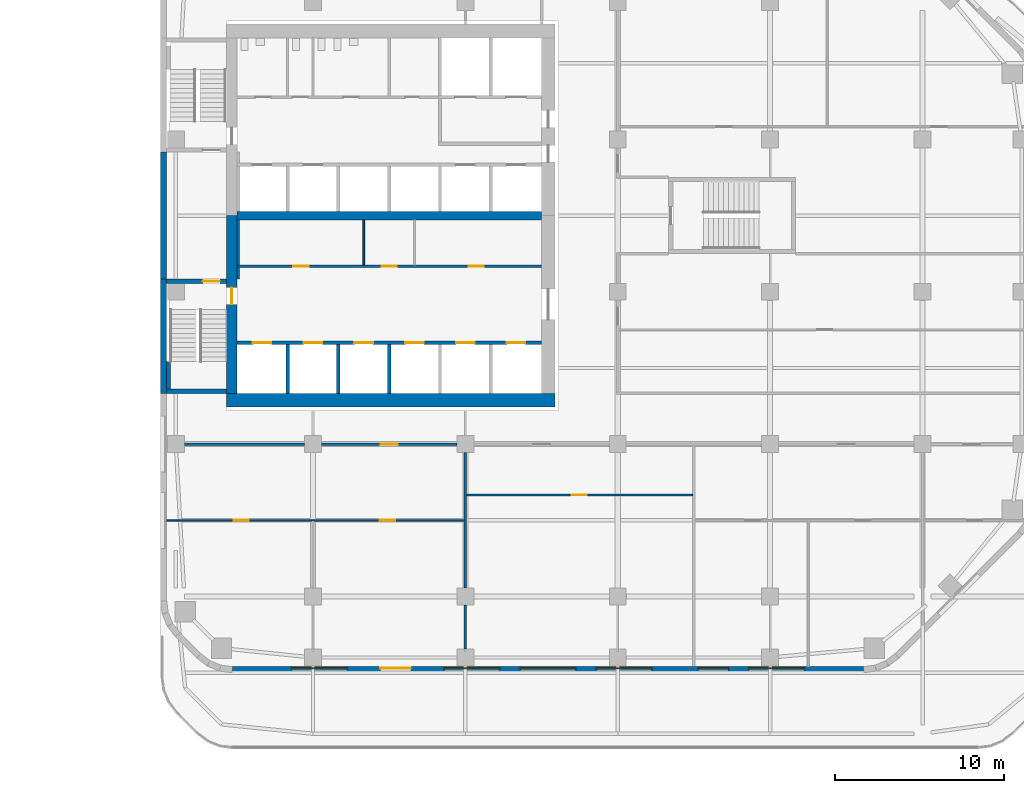
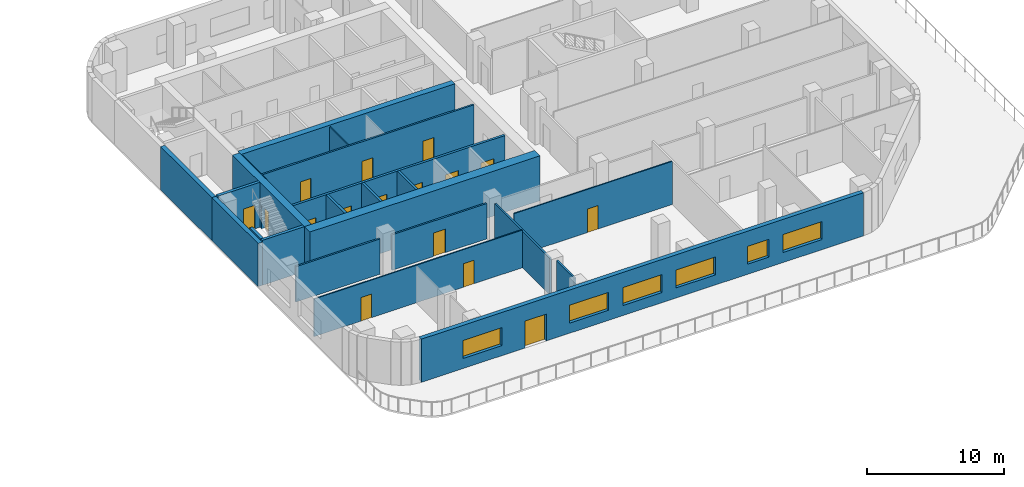
# One storey, part 8 of 15: 23 walls, 16 doors, 6 windows, 22 openings.
"""IFC4 building model written with IfcOpenShell, lengths in metres."""

import ifcopenshell
import ifcopenshell.guid

model = None  # the IFC model being written
_history = None  # IfcOwnerHistory: only IFC2X3 demands one
_inside = {}  # id of a spatial element -> (the spatial element, [elements in it])
_under = {}  # id of a project, library or spatial element -> (it, [spatial elements below it])
_declared = {}  # id of a project -> (the project, [libraries it declares])
_typed = {}  # id of a type object -> (the type object, [elements of that type])
_made_of = {}  # id of a material, layer set ... -> (it, [elements and type objects made of it])


def new_model(schema):
    """Start an empty IFC model of exactly this schema.

    Asked for "IFC4X3", IfcOpenShell would pick the latest addendum, in which some entities
    have other attributes; the version numbers below select the first issue.
    IFC2X3 requires an IfcOwnerHistory on every rooted entity: one is made here for all.
    """
    global model, _history
    if schema == "IFC4X3":
        model = ifcopenshell.file(schema_version=(4, 3, 0, 0))
    else:
        model = ifcopenshell.file(schema=schema)
    _inside.clear()
    _under.clear()
    _declared.clear()
    _typed.clear()
    _made_of.clear()
    _history = None
    if model.schema == "IFC2X3":
        org = make("IfcOrganization", Name="unknown")
        user = make(
            "IfcPersonAndOrganization",
            ThePerson=make("IfcPerson", FamilyName="unknown"),
            TheOrganization=org,
        )
        app = make(
            "IfcApplication",
            ApplicationDeveloper=org,
            Version="unknown",
            ApplicationFullName="unknown",
            ApplicationIdentifier="unknown",
        )
        _history = make(
            "IfcOwnerHistory",
            OwningUser=user,
            OwningApplication=app,
            ChangeAction="ADDED",
            CreationDate=0,
        )
    return model


def make(cls, **values):
    """One entity of the class cls with the attributes given. An attribute that is None is left unset."""
    return model.create_entity(
        cls, **{name: value for name, value in values.items() if value is not None}
    )


def rooted(cls, **values):
    """An entity with a GlobalId (a new one), such as an element, a storey or a relation."""
    return make(cls, GlobalId=ifcopenshell.guid.new(), OwnerHistory=_history, **values)


def si_unit(unit_type, name, prefix=None):
    """IfcSIUnit, for example si_unit("LENGTHUNIT", "METRE", prefix="MILLI")."""
    return make("IfcSIUnit", UnitType=unit_type, Prefix=prefix, Name=name)


def assignment(units):
    """IfcUnitAssignment: the units of a project."""
    return None if units is None else make("IfcUnitAssignment", Units=units)


def point(xyz):
    """IfcCartesianPoint."""
    return None if xyz is None else make("IfcCartesianPoint", Coordinates=xyz)


def direction(xyz):
    """IfcDirection."""
    return None if xyz is None else make("IfcDirection", DirectionRatios=xyz)


def frame(location, z_axis=None, x_axis=None):
    """IfcAxis2Placement3D, a coordinate frame: its origin and axes. An axis left out is left unset."""
    return make(
        "IfcAxis2Placement3D",
        Location=point(location),
        Axis=direction(z_axis),
        RefDirection=direction(x_axis),
    )


def frame_2d(location, x_axis=None):
    """IfcAxis2Placement2D, a coordinate frame in the plane: its origin and x axis."""
    return make(
        "IfcAxis2Placement2D", Location=point(location), RefDirection=direction(x_axis)
    )


def origin():
    """The frame at (0, 0, 0) with its axes left unset."""
    return frame((0.0, 0.0, 0.0))


def place(relative_to, where):
    """IfcLocalPlacement: puts the frame where relative to a parent placement (None: the world)."""
    return make(
        "IfcLocalPlacement", PlacementRelTo=relative_to, RelativePlacement=where
    )


def context(
    kind, dimensions, precision=None, world=None, true_north=None, identifier=None
):
    """IfcGeometricRepresentationContext, for example the 3D "Model" context."""
    return make(
        "IfcGeometricRepresentationContext",
        ContextIdentifier=identifier,
        ContextType=kind,
        CoordinateSpaceDimension=dimensions,
        Precision=precision,
        WorldCoordinateSystem=world,
        TrueNorth=true_north,
    )


def subcontext(parent, identifier, kind, view, scale=None):
    """IfcGeometricRepresentationSubContext, for example "Body" below "Model"."""
    return make(
        "IfcGeometricRepresentationSubContext",
        ContextIdentifier=identifier,
        ContextType=kind,
        ParentContext=parent,
        TargetScale=scale,
        TargetView=view,
    )


def project(units=None, contexts=None):
    """IfcProject with its units and contexts."""
    return rooted(
        "IfcProject",
        Name="project",
        RepresentationContexts=contexts,
        UnitsInContext=assignment(units),
    )


def spatial(cls, under=None, at=None, **own):
    """A site, building, storey or space (cls), placed at a placement, below another one or the project."""
    s = rooted(cls, ObjectPlacement=at, **own)
    if under is not None:
        _under.setdefault(under.id(), (under, []))[1].append(s)
    return s


def profile(cls, at=None, kind="AREA", **sizes):
    """A parametric profile (cls). Its sizes go by their IFC names, for example OverallWidth=200.0."""
    return make(cls, ProfileType=kind, Position=at, **sizes)


def rectangle(**sizes):
    """IfcRectangleProfileDef."""
    return profile("IfcRectangleProfileDef", **sizes)


def extrude(swept, where, along, depth):
    """IfcExtrudedAreaSolid: the profile swept, set in the frame where, extruded along a direction by depth."""
    return make(
        "IfcExtrudedAreaSolid",
        SweptArea=swept,
        Position=where,
        ExtrudedDirection=direction(along),
        Depth=depth,
    )


def shape(context_of_items, identifier, shape_type, items):
    """IfcShapeRepresentation: the items that make up one representation, for example the "Body"."""
    return make(
        "IfcShapeRepresentation",
        ContextOfItems=context_of_items,
        RepresentationIdentifier=identifier,
        RepresentationType=shape_type,
        Items=items,
    )


def material(Name=None, Category=None):
    """IfcMaterial."""
    return make("IfcMaterial", Name=Name, Category=Category)


def layer(
    of_material, thickness, ventilated=None, Name=None, Category=None, Priority=None
):
    """IfcMaterialLayer: one layer of a wall or slab, of a material (None: an air gap)."""
    return make(
        "IfcMaterialLayer",
        Material=of_material,
        LayerThickness=thickness,
        IsVentilated=ventilated,
        Name=Name,
        Category=Category,
        Priority=Priority,
    )


def layer_set(layers, Name=None):
    """IfcMaterialLayerSet."""
    return make("IfcMaterialLayerSet", MaterialLayers=layers, LayerSetName=Name)


def made_of(thing, what):
    """Note that an element or type object is made of a material, layer set ...; save() writes the relation."""
    if what is not None:
        _made_of.setdefault(what.id(), (what, []))[1].append(thing)
    return thing


def type_object(cls, material=None, **own):
    """A type object (cls), such as IfcWallType, which elements share."""
    return made_of(rooted(cls, **own), material)


def element(
    cls,
    number,
    at=None,
    inside=None,
    cuts=None,
    type_object=None,
    material=None,
    context=None,
    identifier="Body",
    shape_type=None,
    held_by="IfcProductDefinitionShape",
    body=None,
    shapes=None,
    **own,
):
    """One element of the class cls, such as IfcWall. Its Tag is "e" and its number.

    at: its placement. inside: the storey or other place that contains it. cuts: it is an
    opening in that element (IfcRelVoidsElement). A single representation is given by context,
    identifier, shape_type and body (its items); several are given by shapes. held_by: the class
    of the entity that holds the representations. save() writes the other relations.
    """
    e = rooted(cls, Tag="e%d" % number, ObjectPlacement=at, **own)
    if body is not None:
        shapes = [shape(context, identifier, shape_type, body)]
    if shapes is not None:
        e.Representation = make(held_by, Representations=shapes)
    if inside is not None:
        _inside.setdefault(inside.id(), (inside, []))[1].append(e)
    if cuts is not None:
        rooted(
            "IfcRelVoidsElement", RelatingBuildingElement=cuts, RelatedOpeningElement=e
        )
    if type_object is not None:
        _typed.setdefault(type_object.id(), (type_object, []))[1].append(e)
    return made_of(e, material)


def fill(opening, filler):
    """IfcRelFillsElement: the door or window that sits in an opening."""
    return rooted(
        "IfcRelFillsElement",
        RelatingOpeningElement=opening,
        RelatedBuildingElement=filler,
    )


def aggregate(whole, parts):
    """IfcRelAggregates: a whole, such as a stair, and the parts it consists of."""
    return rooted("IfcRelAggregates", RelatingObject=whole, RelatedObjects=parts)


def save(model, path):
    """Write the relations noted so far, then the file.

    IfcRelAggregates (storeys below a building ...), IfcRelContainedInSpatialStructure (elements
    in a storey), IfcRelDefinesByType, IfcRelAssociatesMaterial and IfcRelDeclares: one each for
    every whole, place, type object, material and project.
    """
    for whole, parts in _under.values():
        aggregate(whole, parts)
    for where, things in _inside.values():
        rooted(
            "IfcRelContainedInSpatialStructure",
            RelatedElements=things,
            RelatingStructure=where,
        )
    for kind, things in _typed.values():
        rooted("IfcRelDefinesByType", RelatedObjects=things, RelatingType=kind)
    for what, things in _made_of.values():
        rooted("IfcRelAssociatesMaterial", RelatedObjects=things, RelatingMaterial=what)
    for by, libraries in _declared.values():
        rooted("IfcRelDeclares", RelatingContext=by, RelatedDefinitions=libraries)
    model.write(path)


model = new_model("IFC4")

# Units and contexts
model_context = context("Model", 3, precision=1e-05, world=origin(), true_north=direction((0.0, 1.0)))
body_context = subcontext(model_context, "Body", "Model", "MODEL_VIEW")
ifc_project = project(units=[si_unit("LENGTHUNIT", "METRE"), si_unit("AREAUNIT", "SQUARE_METRE"), si_unit("VOLUMEUNIT", "CUBIC_METRE"), si_unit("PLANEANGLEUNIT", "RADIAN"), si_unit("MASSUNIT", "GRAM", prefix="KILO")], contexts=[model_context])

# Site, building, storey
site_placement = place(None, origin())
site = spatial("IfcSite", under=ifc_project, at=site_placement, CompositionType="ELEMENT")
building_placement = place(site_placement, origin())
building = spatial("IfcBuilding", under=site, at=building_placement, Name="Cinnabar Reach Civic Tower", CompositionType="ELEMENT")
storey_placement = place(building_placement, frame((0.0, 0.0, 100.0)))
storey = spatial("IfcBuildingStorey", under=building, at=storey_placement, Name="L23", CompositionType="ELEMENT", Elevation=100.0)

# Wall, openings, windows, door
ifc_material_1 = material(Name="Facing brick with insulated backing", Category="masonry")
ifc_layer_1 = layer(ifc_material_1, 0.36)
ifc_layer_set_1 = layer_set([ifc_layer_1], Name="Brick pier and spandrel wall")
wall_type_1 = type_object("IfcWallType", Name="Brick pier and spandrel wall", PredefinedType="STANDARD", material=ifc_layer_set_1)
wall_1_placement = place(storey_placement, frame((4.2426, 4.68, 0.0), z_axis=(0.0, 0.0, 1.0), x_axis=(1.0, 0.0, 0.0)))
wall_1 = element("IfcWall", 1, at=wall_1_placement, inside=storey, type_object=wall_type_1, Name="Brick facade wall", PredefinedType="STANDARD", context=body_context, shape_type="SweptSolid", body=[
    extrude(rectangle(XDim=37.2648, YDim=0.36, at=frame_2d((18.6324, 0.0))), origin(), (0.0, 0.0, 1.0), 3.85),
])
opening_1_placement = place(wall_1_placement, frame((3.4824, 0.0, 0.9)))
opening_1 = element("IfcOpeningElement", 2, at=opening_1_placement, cuts=wall_1, Name="Opening W1481", PredefinedType="OPENING", context=body_context, shape_type="SweptSolid", body=[
    extrude(rectangle(XDim=3.3, YDim=1.6, at=frame_2d((1.65, 0.8))), frame((0.0, 0.19, 0.0), z_axis=(0.0, -1.0, 0.0), x_axis=(1.0, 0.0, 0.0)), (0.0, 0.0, 1.0), 0.38),
])
opening_2_placement = place(wall_1_placement, frame((8.7324, 0.0, 0.0)))
opening_2 = element("IfcOpeningElement", 3, at=opening_2_placement, cuts=wall_1, Name="Opening D7504", PredefinedType="OPENING", context=body_context, shape_type="SweptSolid", body=[
    extrude(rectangle(XDim=1.8, YDim=2.4, at=frame_2d((0.9, 1.2))), frame((0.0, 0.19, 0.0), z_axis=(0.0, -1.0, 0.0), x_axis=(1.0, 0.0, 0.0)), (0.0, 0.0, 1.0), 0.38),
])
opening_3_placement = place(wall_1_placement, frame((12.4824, 0.0, 0.9)))
opening_3 = element("IfcOpeningElement", 4, at=opening_3_placement, cuts=wall_1, Name="Opening W1482", PredefinedType="OPENING", context=body_context, shape_type="SweptSolid", body=[
    extrude(rectangle(XDim=3.3, YDim=1.6, at=frame_2d((1.65, 0.8))), frame((0.0, 0.19, 0.0), z_axis=(0.0, -1.0, 0.0), x_axis=(1.0, 0.0, 0.0)), (0.0, 0.0, 1.0), 0.38),
])
opening_4_placement = place(wall_1_placement, frame((16.9824, 0.0, 0.9)))
opening_4 = element("IfcOpeningElement", 5, at=opening_4_placement, cuts=wall_1, Name="Opening W1483", PredefinedType="OPENING", context=body_context, shape_type="SweptSolid", body=[
    extrude(rectangle(XDim=3.3, YDim=1.6, at=frame_2d((1.65, 0.8))), frame((0.0, 0.19, 0.0), z_axis=(0.0, -1.0, 0.0), x_axis=(1.0, 0.0, 0.0)), (0.0, 0.0, 1.0), 0.38),
])
opening_5_placement = place(wall_1_placement, frame((21.4824, 0.0, 0.9)))
opening_5 = element("IfcOpeningElement", 6, at=opening_5_placement, cuts=wall_1, Name="Opening W1484", PredefinedType="OPENING", context=body_context, shape_type="SweptSolid", body=[
    extrude(rectangle(XDim=3.3, YDim=1.6, at=frame_2d((1.65, 0.8))), frame((0.0, 0.19, 0.0), z_axis=(0.0, -1.0, 0.0), x_axis=(1.0, 0.0, 0.0)), (0.0, 0.0, 1.0), 0.38),
])
opening_6_placement = place(wall_1_placement, frame((27.4824, 0.0, 0.9)))
opening_6 = element("IfcOpeningElement", 7, at=opening_6_placement, cuts=wall_1, Name="Opening W1485", PredefinedType="OPENING", context=body_context, shape_type="SweptSolid", body=[
    extrude(rectangle(XDim=1.8, YDim=1.6, at=frame_2d((0.9, 0.8))), frame((0.0, 0.19, 0.0), z_axis=(0.0, -1.0, 0.0), x_axis=(1.0, 0.0, 0.0)), (0.0, 0.0, 1.0), 0.38),
])
opening_7_placement = place(wall_1_placement, frame((30.4824, 0.0, 0.9)))
opening_7 = element("IfcOpeningElement", 8, at=opening_7_placement, cuts=wall_1, Name="Opening W1486", PredefinedType="OPENING", context=body_context, shape_type="SweptSolid", body=[
    extrude(rectangle(XDim=3.3, YDim=1.6, at=frame_2d((1.65, 0.8))), frame((0.0, 0.19, 0.0), z_axis=(0.0, -1.0, 0.0), x_axis=(1.0, 0.0, 0.0)), (0.0, 0.0, 1.0), 0.38),
])
ifc_material_2 = material(Name="Clear double glazing in aluminium frame", Category="aluminium")
window_type_1 = type_object("IfcWindowType", Name="Deep-set window A", PartitioningType="SINGLE_PANEL", PredefinedType="WINDOW", material=ifc_material_2)
window_1_placement = place(opening_1_placement, origin())
window_1 = element("IfcWindow", 9, at=window_1_placement, inside=storey, type_object=window_type_1, Name="Window south face", OverallHeight=1.6, OverallWidth=3.3, PartitioningType="SINGLE_PANEL", PredefinedType="WINDOW", context=body_context, shape_type="SweptSolid", body=[
    extrude(rectangle(XDim=3.3, YDim=1.6, at=frame_2d((1.65, 0.8))), frame((0.0, 0.13, 0.0), z_axis=(0.0, -1.0, 0.0), x_axis=(1.0, 0.0, 0.0)), (0.0, 0.0, 1.0), 0.06),
])
fill(opening_1, window_1)
window_2_placement = place(opening_3_placement, origin())
window_2 = element("IfcWindow", 10, at=window_2_placement, inside=storey, type_object=window_type_1, Name="Window south face", OverallHeight=1.6, OverallWidth=3.3, PartitioningType="SINGLE_PANEL", PredefinedType="WINDOW", context=body_context, shape_type="SweptSolid", body=[
    extrude(rectangle(XDim=3.3, YDim=1.6, at=frame_2d((1.65, 0.8))), frame((0.0, 0.13, 0.0), z_axis=(0.0, -1.0, 0.0), x_axis=(1.0, 0.0, 0.0)), (0.0, 0.0, 1.0), 0.06),
])
fill(opening_3, window_2)
window_3_placement = place(opening_4_placement, origin())
window_3 = element("IfcWindow", 11, at=window_3_placement, inside=storey, type_object=window_type_1, Name="Window south face", OverallHeight=1.6, OverallWidth=3.3, PartitioningType="SINGLE_PANEL", PredefinedType="WINDOW", context=body_context, shape_type="SweptSolid", body=[
    extrude(rectangle(XDim=3.3, YDim=1.6, at=frame_2d((1.65, 0.8))), frame((0.0, 0.13, 0.0), z_axis=(0.0, -1.0, 0.0), x_axis=(1.0, 0.0, 0.0)), (0.0, 0.0, 1.0), 0.06),
])
fill(opening_4, window_3)
window_4_placement = place(opening_5_placement, origin())
window_4 = element("IfcWindow", 12, at=window_4_placement, inside=storey, type_object=window_type_1, Name="Window south face", OverallHeight=1.6, OverallWidth=3.3, PartitioningType="SINGLE_PANEL", PredefinedType="WINDOW", context=body_context, shape_type="SweptSolid", body=[
    extrude(rectangle(XDim=3.3, YDim=1.6, at=frame_2d((1.65, 0.8))), frame((0.0, 0.13, 0.0), z_axis=(0.0, -1.0, 0.0), x_axis=(1.0, 0.0, 0.0)), (0.0, 0.0, 1.0), 0.06),
])
fill(opening_5, window_4)
window_5_placement = place(opening_7_placement, origin())
window_5 = element("IfcWindow", 13, at=window_5_placement, inside=storey, type_object=window_type_1, Name="Window south face", OverallHeight=1.6, OverallWidth=3.3, PartitioningType="SINGLE_PANEL", PredefinedType="WINDOW", context=body_context, shape_type="SweptSolid", body=[
    extrude(rectangle(XDim=3.3, YDim=1.6, at=frame_2d((1.65, 0.8))), frame((0.0, 0.13, 0.0), z_axis=(0.0, -1.0, 0.0), x_axis=(1.0, 0.0, 0.0)), (0.0, 0.0, 1.0), 0.06),
])
fill(opening_7, window_5)
window_type_2 = type_object("IfcWindowType", Name="Deep-set window D", PartitioningType="SINGLE_PANEL", PredefinedType="WINDOW", material=ifc_material_2)
window_6_placement = place(opening_6_placement, origin())
window_6 = element("IfcWindow", 14, at=window_6_placement, inside=storey, type_object=window_type_2, Name="Window south face", OverallHeight=1.6, OverallWidth=1.8, PartitioningType="SINGLE_PANEL", PredefinedType="WINDOW", context=body_context, shape_type="SweptSolid", body=[
    extrude(rectangle(XDim=1.8, YDim=1.6, at=frame_2d((0.9, 0.8))), frame((0.0, 0.13, 0.0), z_axis=(0.0, -1.0, 0.0), x_axis=(1.0, 0.0, 0.0)), (0.0, 0.0, 1.0), 0.06),
])
fill(opening_6, window_6)
ifc_material_3 = material(Name="Clear glazing in aluminium frame", Category="aluminium")
door_type_1 = type_object("IfcDoorType", Name="Facade terrace double door", OperationType="SINGLE_SWING_LEFT", PredefinedType="DOOR", material=ifc_material_3)
door_1_placement = place(opening_2_placement, frame((1.8, 0.0, 0.0), z_axis=(0.0, 0.0, 1.0), x_axis=(-1.0, 0.0, 0.0)))
door_1 = element("IfcDoor", 15, at=door_1_placement, inside=storey, type_object=door_type_1, Name="Terrace door", OperationType="DOUBLE_DOOR_SINGLE_SWING", OverallHeight=2.4, OverallWidth=1.8, PredefinedType="DOOR", context=body_context, shape_type="SweptSolid", body=[
    extrude(rectangle(XDim=1.8, YDim=2.4, at=frame_2d((0.9, 1.2))), frame((0.0, -0.07, 0.0), z_axis=(0.0, -1.0, 0.0), x_axis=(1.0, 0.0, 0.0)), (0.0, 0.0, 1.0), 0.05),
])
fill(opening_2, door_1)

# Walls
wall_2_placement = place(storey_placement, frame((0.18, 35.25, 0.0), z_axis=(0.0, 0.0, 1.0), x_axis=(0.0, -1.0, 0.0)))
element("IfcWall", 16, at=wall_2_placement, inside=storey, type_object=wall_type_1, Name="Brick facade wall", PredefinedType="STANDARD", context=body_context, shape_type="SweptSolid", body=[
    extrude(rectangle(XDim=7.5, YDim=0.36, at=frame_2d((3.75, 0.0))), origin(), (0.0, 0.0, 1.0), 3.85),
])
wall_3_placement = place(storey_placement, frame((0.18, 27.75, 0.0), z_axis=(0.0, 0.0, 1.0), x_axis=(0.0, -1.0, 0.0)))
element("IfcWall", 17, at=wall_3_placement, inside=storey, type_object=wall_type_1, Name="Brick facade wall", PredefinedType="STANDARD", context=body_context, shape_type="SweptSolid", body=[
    extrude(rectangle(XDim=6.75, YDim=0.36, at=frame_2d((3.375, 0.0))), origin(), (0.0, 0.0, 1.0), 3.85),
])
ifc_material_4 = material(Name="Concrete C60", Category="concrete")
ifc_layer_2 = layer(ifc_material_4, 0.5)
ifc_layer_set_2 = layer_set([ifc_layer_2], Name="Core wall 500 EI 180")
wall_type_2 = type_object("IfcWallType", Name="Core wall 500 EI 180", PredefinedType="SOLIDWALL", material=ifc_layer_set_2)
wall_4_placement = place(storey_placement, frame((4.5, 31.5, 0.0), z_axis=(0.0, 0.0, 1.0), x_axis=(1.0, 0.0, 0.0)))
element("IfcWall", 18, at=wall_4_placement, inside=storey, type_object=wall_type_2, Name="Core spine wall T1 L23", PredefinedType="SOLIDWALL", context=body_context, shape_type="SweptSolid", body=[
    extrude(rectangle(XDim=18.0, YDim=0.5, at=frame_2d((9.0, 0.0))), origin(), (0.0, 0.0, 1.0), 4.0),
])

# Wall, opening, door
ifc_material_5 = material(Name="Concrete C70", Category="concrete")
ifc_layer_3 = layer(ifc_material_5, 0.6)
ifc_layer_set_3 = layer_set([ifc_layer_3], Name="Core wall 600 EI 180")
wall_type_3 = type_object("IfcWallType", Name="Core wall 600 EI 180", PredefinedType="SOLIDWALL", material=ifc_layer_set_3)
wall_5_placement = place(storey_placement, frame((4.2, 31.5, 0.0), z_axis=(0.0, 0.0, 1.0), x_axis=(0.0, -1.0, 0.0)))
wall_5 = element("IfcWall", 19, at=wall_5_placement, inside=storey, type_object=wall_type_3, Name="Core wall T1 L23 W2", PredefinedType="SOLIDWALL", context=body_context, shape_type="SweptSolid", body=[
    extrude(rectangle(XDim=10.5, YDim=0.6, at=frame_2d((5.25, 0.0))), origin(), (0.0, 0.0, 1.0), 4.0),
])
opening_8_placement = place(wall_5_placement, frame((4.25, 0.0, 0.0)))
opening_8 = element("IfcOpeningElement", 20, at=opening_8_placement, cuts=wall_5, Name="Opening D3917", PredefinedType="OPENING", context=body_context, shape_type="SweptSolid", body=[
    extrude(rectangle(XDim=1.0, YDim=2.1, at=frame_2d((0.5, 1.05))), frame((0.0, 0.31, 0.0), z_axis=(0.0, -1.0, 0.0), x_axis=(1.0, 0.0, 0.0)), (0.0, 0.0, 1.0), 0.62),
])
ifc_material_6 = material(Name="Timber door leaf in steel frame", Category="steel")
door_type_2 = type_object("IfcDoorType", Name="Stair door 1000 x 2100 T1", OperationType="SINGLE_SWING_LEFT", PredefinedType="DOOR", material=ifc_material_6)
door_2_placement = place(opening_8_placement, frame((1.0, 0.0, 0.0), z_axis=(0.0, 0.0, 1.0), x_axis=(-1.0, 0.0, 0.0)))
door_2 = element("IfcDoor", 21, at=door_2_placement, inside=storey, type_object=door_type_2, Name="Door D3917", OperationType="SINGLE_SWING_RIGHT", OverallHeight=2.1, OverallWidth=1.0, PredefinedType="DOOR", context=body_context, shape_type="SweptSolid", body=[
    extrude(rectangle(XDim=1.0, YDim=2.1, at=frame_2d((0.5, 1.05))), frame((0.0, 0.025, 0.0), z_axis=(0.0, -1.0, 0.0), x_axis=(1.0, 0.0, 0.0)), (0.0, 0.0, 1.0), 0.05),
])
fill(opening_8, door_2)

# Wall
ifc_layer_4 = layer(ifc_material_5, 0.8)
ifc_layer_set_4 = layer_set([ifc_layer_4], Name="Core wall 800 EI 180")
wall_type_4 = type_object("IfcWallType", Name="Core wall 800 EI 180", PredefinedType="SOLIDWALL", material=ifc_layer_set_4)
wall_6_placement = place(storey_placement, frame((3.9, 20.6, 0.0), z_axis=(0.0, 0.0, 1.0), x_axis=(1.0, 0.0, 0.0)))
element("IfcWall", 22, at=wall_6_placement, inside=storey, type_object=wall_type_4, Name="Core wall T1 L23 S", PredefinedType="SOLIDWALL", context=body_context, shape_type="SweptSolid", body=[
    extrude(rectangle(XDim=19.4, YDim=0.8, at=frame_2d((9.7, 0.0))), origin(), (0.0, 0.0, 1.0), 4.0),
])

# Wall, opening, door
ifc_material_7 = material(Name="Gypsum board on steel studs, double layer", Category="steel")
ifc_layer_5 = layer(ifc_material_7, 0.15)
ifc_layer_set_5 = layer_set([ifc_layer_5], Name="Corridor wall 150 T1")
wall_type_5 = type_object("IfcWallType", Name="Corridor wall 150 T1", PredefinedType="PARTITIONING", material=ifc_layer_set_5)
wall_7_placement = place(storey_placement, frame((9.5, 18.0, 0.0), z_axis=(0.0, 0.0, 1.0), x_axis=(1.0, 0.0, 0.0)))
wall_7 = element("IfcWall", 23, at=wall_7_placement, inside=storey, type_object=wall_type_5, Name="Corridor wall 23", PredefinedType="PARTITIONING", context=body_context, shape_type="SweptSolid", body=[
    extrude(rectangle(XDim=8.0, YDim=0.15, at=frame_2d((4.0, 0.0))), origin(), (0.0, 0.0, 1.0), 3.158),
])
opening_9_placement = place(wall_7_placement, frame((3.5, 0.0, 0.0)))
opening_9 = element("IfcOpeningElement", 24, at=opening_9_placement, cuts=wall_7, Name="Opening D3949", PredefinedType="OPENING", context=body_context, shape_type="SweptSolid", body=[
    extrude(rectangle(XDim=1.0, YDim=2.1, at=frame_2d((0.5, 1.05))), frame((0.0, 0.085, 0.0), z_axis=(0.0, -1.0, 0.0), x_axis=(1.0, 0.0, 0.0)), (0.0, 0.0, 1.0), 0.17),
])
door_type_3 = type_object("IfcDoorType", Name="Tenancy entrance door 1000 x 2100 T1", OperationType="SINGLE_SWING_LEFT", PredefinedType="DOOR", material=ifc_material_6)
door_3_placement = place(opening_9_placement, frame((1.0, 0.0, 0.0), z_axis=(0.0, 0.0, 1.0), x_axis=(-1.0, 0.0, 0.0)))
door_3 = element("IfcDoor", 25, at=door_3_placement, inside=storey, type_object=door_type_3, Name="Door D3949", OperationType="SINGLE_SWING_RIGHT", OverallHeight=2.1, OverallWidth=1.0, PredefinedType="DOOR", context=body_context, shape_type="SweptSolid", body=[
    extrude(rectangle(XDim=1.0, YDim=2.1, at=frame_2d((0.5, 1.05))), frame((0.0, 0.025, 0.0), z_axis=(0.0, -1.0, 0.0), x_axis=(1.0, 0.0, 0.0)), (0.0, 0.0, 1.0), 0.05),
])
fill(opening_9, door_3)

# Wall
wall_8_placement = place(storey_placement, frame((1.4, 18.0, 0.0), z_axis=(0.0, 0.0, 1.0), x_axis=(1.0, 0.0, 0.0)))
element("IfcWall", 26, at=wall_8_placement, inside=storey, type_object=wall_type_5, Name="Corridor wall 24", PredefinedType="PARTITIONING", context=body_context, shape_type="SweptSolid", body=[
    extrude(rectangle(XDim=7.1, YDim=0.15, at=frame_2d((3.55, 0.0))), origin(), (0.0, 0.0, 1.0), 3.158),
])

# Wall, openings, doors
wall_9_placement = place(storey_placement, frame((4.5, 28.5, 0.0), z_axis=(0.0, 0.0, 1.0), x_axis=(1.0, 0.0, 0.0)))
wall_9 = element("IfcWall", 27, at=wall_9_placement, inside=storey, type_object=wall_type_5, Name="Corridor wall 26", PredefinedType="PARTITIONING", context=body_context, shape_type="SweptSolid", body=[
    extrude(rectangle(XDim=18.0, YDim=0.15, at=frame_2d((9.0, 0.0))), origin(), (0.0, 0.0, 1.0), 3.85),
])
opening_10_placement = place(wall_9_placement, frame((3.35, 0.0, 0.0)))
opening_10 = element("IfcOpeningElement", 28, at=opening_10_placement, cuts=wall_9, Name="Opening D3937", PredefinedType="OPENING", context=body_context, shape_type="SweptSolid", body=[
    extrude(rectangle(XDim=0.9, YDim=2.1, at=frame_2d((0.45, 1.05))), frame((0.0, 0.085, 0.0), z_axis=(0.0, -1.0, 0.0), x_axis=(1.0, 0.0, 0.0)), (0.0, 0.0, 1.0), 0.17),
])
opening_11_placement = place(wall_9_placement, frame((8.55, 0.0, 0.0)))
opening_11 = element("IfcOpeningElement", 29, at=opening_11_placement, cuts=wall_9, Name="Opening D3938", PredefinedType="OPENING", context=body_context, shape_type="SweptSolid", body=[
    extrude(rectangle(XDim=0.9, YDim=2.1, at=frame_2d((0.45, 1.05))), frame((0.0, 0.085, 0.0), z_axis=(0.0, -1.0, 0.0), x_axis=(1.0, 0.0, 0.0)), (0.0, 0.0, 1.0), 0.17),
])
opening_12_placement = place(wall_9_placement, frame((13.7, 0.0, 0.0)))
opening_12 = element("IfcOpeningElement", 30, at=opening_12_placement, cuts=wall_9, Name="Opening D3939", PredefinedType="OPENING", context=body_context, shape_type="SweptSolid", body=[
    extrude(rectangle(XDim=0.9, YDim=2.1, at=frame_2d((0.45, 1.05))), frame((0.0, 0.085, 0.0), z_axis=(0.0, -1.0, 0.0), x_axis=(1.0, 0.0, 0.0)), (0.0, 0.0, 1.0), 0.17),
])
door_type_4 = type_object("IfcDoorType", Name="Single swing door 900 x 2100 corridor T1", OperationType="SINGLE_SWING_LEFT", PredefinedType="DOOR", material=ifc_material_6)
door_4_placement = place(opening_10_placement, origin())
door_4 = element("IfcDoor", 31, at=door_4_placement, inside=storey, type_object=door_type_4, Name="Door D3937", OperationType="SINGLE_SWING_LEFT", OverallHeight=2.1, OverallWidth=0.9, PredefinedType="DOOR", context=body_context, shape_type="SweptSolid", body=[
    extrude(rectangle(XDim=0.9, YDim=2.1, at=frame_2d((0.45, 1.05))), frame((0.0, 0.025, 0.0), z_axis=(0.0, -1.0, 0.0), x_axis=(1.0, 0.0, 0.0)), (0.0, 0.0, 1.0), 0.05),
])
fill(opening_10, door_4)
door_5_placement = place(opening_11_placement, origin())
door_5 = element("IfcDoor", 32, at=door_5_placement, inside=storey, type_object=door_type_4, Name="Door D3938", OperationType="SINGLE_SWING_LEFT", OverallHeight=2.1, OverallWidth=0.9, PredefinedType="DOOR", context=body_context, shape_type="SweptSolid", body=[
    extrude(rectangle(XDim=0.9, YDim=2.1, at=frame_2d((0.45, 1.05))), frame((0.0, 0.025, 0.0), z_axis=(0.0, -1.0, 0.0), x_axis=(1.0, 0.0, 0.0)), (0.0, 0.0, 1.0), 0.05),
])
fill(opening_11, door_5)
door_6_placement = place(opening_12_placement, origin())
door_6 = element("IfcDoor", 33, at=door_6_placement, inside=storey, type_object=door_type_4, Name="Door D3939", OperationType="SINGLE_SWING_LEFT", OverallHeight=2.1, OverallWidth=0.9, PredefinedType="DOOR", context=body_context, shape_type="SweptSolid", body=[
    extrude(rectangle(XDim=0.9, YDim=2.1, at=frame_2d((0.45, 1.05))), frame((0.0, 0.025, 0.0), z_axis=(0.0, -1.0, 0.0), x_axis=(1.0, 0.0, 0.0)), (0.0, 0.0, 1.0), 0.05),
])
fill(opening_12, door_6)

# Walls
wall_10_placement = place(storey_placement, frame((4.575, 27.75, 0.0), z_axis=(0.0, 0.0, 1.0), x_axis=(0.0, 1.0, 0.0)))
element("IfcWall", 34, at=wall_10_placement, inside=storey, type_object=wall_type_5, Name="Corridor wall 34", PredefinedType="PARTITIONING", context=body_context, shape_type="SweptSolid", body=[
    extrude(rectangle(XDim=0.675, YDim=0.15, at=frame_2d((0.3375, 0.0))), origin(), (0.0, 0.0, 1.0), 3.85),
])
wall_11_placement = place(storey_placement, frame((4.575, 28.575, 0.0), z_axis=(0.0, 0.0, 1.0), x_axis=(0.0, 1.0, 0.0)))
element("IfcWall", 35, at=wall_11_placement, inside=storey, type_object=wall_type_5, Name="Corridor wall 35", PredefinedType="PARTITIONING", context=body_context, shape_type="SweptSolid", body=[
    extrude(rectangle(XDim=2.675, YDim=0.15, at=frame_2d((1.3375, 0.0))), origin(), (0.0, 0.0, 1.0), 3.85),
])

# Wall, openings, doors
ifc_material_8 = material(Name="Blockwork", Category="masonry")
ifc_layer_6 = layer(ifc_material_8, 0.2)
ifc_layer_set_6 = layer_set([ifc_layer_6], Name="Lift shaft wall 200 T1")
wall_type_6 = type_object("IfcWallType", Name="Lift shaft wall 200 T1", PredefinedType="PARTITIONING", material=ifc_layer_set_6)
wall_12_placement = place(storey_placement, frame((4.5, 24.0, 0.0), z_axis=(0.0, 0.0, 1.0), x_axis=(1.0, 0.0, 0.0)))
wall_12 = element("IfcWall", 36, at=wall_12_placement, inside=storey, type_object=wall_type_6, Name="Lift shaft wall 4", PredefinedType="PARTITIONING", context=body_context, shape_type="SweptSolid", body=[
    extrude(rectangle(XDim=18.0, YDim=0.2, at=frame_2d((9.0, 0.0))), origin(), (0.0, 0.0, 1.0), 3.85),
])
opening_13_placement = place(wall_12_placement, frame((0.95, 0.0, 0.0)))
opening_13 = element("IfcOpeningElement", 37, at=opening_13_placement, cuts=wall_12, Name="Opening D3921", PredefinedType="OPENING", context=body_context, shape_type="SweptSolid", body=[
    extrude(rectangle(XDim=1.1, YDim=2.1, at=frame_2d((0.55, 1.05))), frame((0.0, 0.11, 0.0), z_axis=(0.0, -1.0, 0.0), x_axis=(1.0, 0.0, 0.0)), (0.0, 0.0, 1.0), 0.22),
])
opening_14_placement = place(wall_12_placement, frame((3.95, 0.0, 0.0)))
opening_14 = element("IfcOpeningElement", 38, at=opening_14_placement, cuts=wall_12, Name="Opening D3922", PredefinedType="OPENING", context=body_context, shape_type="SweptSolid", body=[
    extrude(rectangle(XDim=1.1, YDim=2.1, at=frame_2d((0.55, 1.05))), frame((0.0, 0.11, 0.0), z_axis=(0.0, -1.0, 0.0), x_axis=(1.0, 0.0, 0.0)), (0.0, 0.0, 1.0), 0.22),
])
opening_15_placement = place(wall_12_placement, frame((6.95, 0.0, 0.0)))
opening_15 = element("IfcOpeningElement", 39, at=opening_15_placement, cuts=wall_12, Name="Opening D3923", PredefinedType="OPENING", context=body_context, shape_type="SweptSolid", body=[
    extrude(rectangle(XDim=1.1, YDim=2.1, at=frame_2d((0.55, 1.05))), frame((0.0, 0.11, 0.0), z_axis=(0.0, -1.0, 0.0), x_axis=(1.0, 0.0, 0.0)), (0.0, 0.0, 1.0), 0.22),
])
opening_16_placement = place(wall_12_placement, frame((9.95, 0.0, 0.0)))
opening_16 = element("IfcOpeningElement", 40, at=opening_16_placement, cuts=wall_12, Name="Opening D3924", PredefinedType="OPENING", context=body_context, shape_type="SweptSolid", body=[
    extrude(rectangle(XDim=1.1, YDim=2.1, at=frame_2d((0.55, 1.05))), frame((0.0, 0.11, 0.0), z_axis=(0.0, -1.0, 0.0), x_axis=(1.0, 0.0, 0.0)), (0.0, 0.0, 1.0), 0.22),
])
opening_17_placement = place(wall_12_placement, frame((12.95, 0.0, 0.0)))
opening_17 = element("IfcOpeningElement", 41, at=opening_17_placement, cuts=wall_12, Name="Opening D3925", PredefinedType="OPENING", context=body_context, shape_type="SweptSolid", body=[
    extrude(rectangle(XDim=1.1, YDim=2.1, at=frame_2d((0.55, 1.05))), frame((0.0, 0.11, 0.0), z_axis=(0.0, -1.0, 0.0), x_axis=(1.0, 0.0, 0.0)), (0.0, 0.0, 1.0), 0.22),
])
opening_18_placement = place(wall_12_placement, frame((15.95, 0.0, 0.0)))
opening_18 = element("IfcOpeningElement", 42, at=opening_18_placement, cuts=wall_12, Name="Opening D3926", PredefinedType="OPENING", context=body_context, shape_type="SweptSolid", body=[
    extrude(rectangle(XDim=1.1, YDim=2.1, at=frame_2d((0.55, 1.05))), frame((0.0, 0.11, 0.0), z_axis=(0.0, -1.0, 0.0), x_axis=(1.0, 0.0, 0.0)), (0.0, 0.0, 1.0), 0.22),
])
ifc_material_9 = material(Name="Stainless steel sliding door", Category="steel")
door_type_5 = type_object("IfcDoorType", Name="Lift landing door 1100 x 2100 T1", OperationType="SLIDING_TO_LEFT", PredefinedType="DOOR", material=ifc_material_9)
door_7_placement = place(opening_13_placement, origin())
door_7 = element("IfcDoor", 43, at=door_7_placement, inside=storey, type_object=door_type_5, Name="Lift landing door LR1 L23", OperationType="SLIDING_TO_LEFT", OverallHeight=2.1, OverallWidth=1.1, PredefinedType="DOOR", context=body_context, shape_type="SweptSolid", body=[
    extrude(rectangle(XDim=1.1, YDim=2.1, at=frame_2d((0.55, 1.05))), frame((0.0, 0.025, 0.0), z_axis=(0.0, -1.0, 0.0), x_axis=(1.0, 0.0, 0.0)), (0.0, 0.0, 1.0), 0.05),
])
fill(opening_13, door_7)
door_8_placement = place(opening_14_placement, origin())
door_8 = element("IfcDoor", 44, at=door_8_placement, inside=storey, type_object=door_type_5, Name="Lift landing door LR2 L23", OperationType="SLIDING_TO_LEFT", OverallHeight=2.1, OverallWidth=1.1, PredefinedType="DOOR", context=body_context, shape_type="SweptSolid", body=[
    extrude(rectangle(XDim=1.1, YDim=2.1, at=frame_2d((0.55, 1.05))), frame((0.0, 0.025, 0.0), z_axis=(0.0, -1.0, 0.0), x_axis=(1.0, 0.0, 0.0)), (0.0, 0.0, 1.0), 0.05),
])
fill(opening_14, door_8)
door_9_placement = place(opening_15_placement, origin())
door_9 = element("IfcDoor", 45, at=door_9_placement, inside=storey, type_object=door_type_5, Name="Lift landing door LR3 L23", OperationType="SLIDING_TO_LEFT", OverallHeight=2.1, OverallWidth=1.1, PredefinedType="DOOR", context=body_context, shape_type="SweptSolid", body=[
    extrude(rectangle(XDim=1.1, YDim=2.1, at=frame_2d((0.55, 1.05))), frame((0.0, 0.025, 0.0), z_axis=(0.0, -1.0, 0.0), x_axis=(1.0, 0.0, 0.0)), (0.0, 0.0, 1.0), 0.05),
])
fill(opening_15, door_9)
door_10_placement = place(opening_16_placement, origin())
door_10 = element("IfcDoor", 46, at=door_10_placement, inside=storey, type_object=door_type_5, Name="Lift landing door LR4 L23", OperationType="SLIDING_TO_LEFT", OverallHeight=2.1, OverallWidth=1.1, PredefinedType="DOOR", context=body_context, shape_type="SweptSolid", body=[
    extrude(rectangle(XDim=1.1, YDim=2.1, at=frame_2d((0.55, 1.05))), frame((0.0, 0.025, 0.0), z_axis=(0.0, -1.0, 0.0), x_axis=(1.0, 0.0, 0.0)), (0.0, 0.0, 1.0), 0.05),
])
fill(opening_16, door_10)
door_11_placement = place(opening_17_placement, origin())
door_11 = element("IfcDoor", 47, at=door_11_placement, inside=storey, type_object=door_type_5, Name="Lift landing door LR5 L23", OperationType="SLIDING_TO_LEFT", OverallHeight=2.1, OverallWidth=1.1, PredefinedType="DOOR", context=body_context, shape_type="SweptSolid", body=[
    extrude(rectangle(XDim=1.1, YDim=2.1, at=frame_2d((0.55, 1.05))), frame((0.0, 0.025, 0.0), z_axis=(0.0, -1.0, 0.0), x_axis=(1.0, 0.0, 0.0)), (0.0, 0.0, 1.0), 0.05),
])
fill(opening_17, door_11)
door_12_placement = place(opening_18_placement, origin())
door_12 = element("IfcDoor", 48, at=door_12_placement, inside=storey, type_object=door_type_5, Name="Lift landing door LR6 L23", OperationType="SLIDING_TO_LEFT", OverallHeight=2.1, OverallWidth=1.1, PredefinedType="DOOR", context=body_context, shape_type="SweptSolid", body=[
    extrude(rectangle(XDim=1.1, YDim=2.1, at=frame_2d((0.55, 1.05))), frame((0.0, 0.025, 0.0), z_axis=(0.0, -1.0, 0.0), x_axis=(1.0, 0.0, 0.0)), (0.0, 0.0, 1.0), 0.05),
])
fill(opening_18, door_12)

# Walls
for number, where, z_axis, x_axis, name in (
    (49, (7.5, 21.0, 0.0), (0.0, 0.0, 1.0), (0.0, 1.0, 0.0), "Lift shaft wall 9"),
    (50, (10.5, 21.0, 0.0), (0.0, 0.0, 1.0), (0.0, 1.0, 0.0), "Lift shaft wall 11"),
    (51, (13.5, 21.0, 0.0), (0.0, 0.0, 1.0), (0.0, 1.0, 0.0), "Lift shaft wall 13"),
):
    element("IfcWall", number, at=place(storey_placement, frame(where, z_axis=z_axis, x_axis=x_axis)), inside=storey, type_object=wall_type_6, Name=name, PredefinedType="PARTITIONING", context=body_context, shape_type="SweptSolid", body=[
        extrude(rectangle(XDim=2.9, YDim=0.2, at=frame_2d((1.45, 0.0))), origin(), (0.0, 0.0, 1.0), 3.85),
    ])

# Wall, openings, doors
ifc_material_10 = material(Name="Gypsum board on steel studs", Category="steel")
ifc_layer_7 = layer(ifc_material_10, 0.1)
ifc_layer_set_7 = layer_set([ifc_layer_7], Name="Partition wall 100 T1")
wall_type_7 = type_object("IfcWallType", Name="Partition wall 100 T1", PredefinedType="PARTITIONING", material=ifc_layer_set_7)
wall_13_placement = place(storey_placement, frame((0.36, 13.5, 0.0), z_axis=(0.0, 0.0, 1.0), x_axis=(1.0, 0.0, 0.0)))
wall_13 = element("IfcWall", 52, at=wall_13_placement, inside=storey, type_object=wall_type_7, Name="Partition wall 49", PredefinedType="PARTITIONING", context=body_context, shape_type="SweptSolid", body=[
    extrude(rectangle(XDim=17.565, YDim=0.1, at=frame_2d((8.7825, 0.0))), origin(), (0.0, 0.0, 1.0), 3.354),
])
opening_19_placement = place(wall_13_placement, frame((3.95, 0.0, 0.0)))
opening_19 = element("IfcOpeningElement", 53, at=opening_19_placement, cuts=wall_13, Name="Opening D3950", PredefinedType="OPENING", context=body_context, shape_type="SweptSolid", body=[
    extrude(rectangle(XDim=0.9, YDim=2.1, at=frame_2d((0.45, 1.05))), frame((0.0, 0.06, 0.0), z_axis=(0.0, -1.0, 0.0), x_axis=(1.0, 0.0, 0.0)), (0.0, 0.0, 1.0), 0.12),
])
opening_20_placement = place(wall_13_placement, frame((12.59, 0.0, 0.0)))
opening_20 = element("IfcOpeningElement", 54, at=opening_20_placement, cuts=wall_13, Name="Opening D3951", PredefinedType="OPENING", context=body_context, shape_type="SweptSolid", body=[
    extrude(rectangle(XDim=0.9, YDim=2.1, at=frame_2d((0.45, 1.05))), frame((0.0, 0.06, 0.0), z_axis=(0.0, -1.0, 0.0), x_axis=(1.0, 0.0, 0.0)), (0.0, 0.0, 1.0), 0.12),
])
door_type_6 = type_object("IfcDoorType", Name="Single swing door 900 x 2100 T1", OperationType="SINGLE_SWING_LEFT", PredefinedType="DOOR", material=ifc_material_6)
door_13_placement = place(opening_19_placement, frame((0.9, 0.0, 0.0), z_axis=(0.0, 0.0, 1.0), x_axis=(-1.0, 0.0, 0.0)))
door_13 = element("IfcDoor", 55, at=door_13_placement, inside=storey, type_object=door_type_6, Name="Door D3950", OperationType="SINGLE_SWING_RIGHT", OverallHeight=2.1, OverallWidth=0.9, PredefinedType="DOOR", context=body_context, shape_type="SweptSolid", body=[
    extrude(rectangle(XDim=0.9, YDim=2.1, at=frame_2d((0.45, 1.05))), frame((0.0, 0.025, 0.0), z_axis=(0.0, -1.0, 0.0), x_axis=(1.0, 0.0, 0.0)), (0.0, 0.0, 1.0), 0.05),
])
fill(opening_19, door_13)
door_14_placement = place(opening_20_placement, frame((0.9, 0.0, 0.0), z_axis=(0.0, 0.0, 1.0), x_axis=(-1.0, 0.0, 0.0)))
door_14 = element("IfcDoor", 56, at=door_14_placement, inside=storey, type_object=door_type_6, Name="Door D3951", OperationType="SINGLE_SWING_RIGHT", OverallHeight=2.1, OverallWidth=0.9, PredefinedType="DOOR", context=body_context, shape_type="SweptSolid", body=[
    extrude(rectangle(XDim=0.9, YDim=2.1, at=frame_2d((0.45, 1.05))), frame((0.0, 0.025, 0.0), z_axis=(0.0, -1.0, 0.0), x_axis=(1.0, 0.0, 0.0)), (0.0, 0.0, 1.0), 0.05),
])
fill(opening_20, door_14)

# Wall, opening, door
wall_14_placement = place(storey_placement, frame((18.075, 15.0, 0.0), z_axis=(0.0, 0.0, 1.0), x_axis=(1.0, 0.0, 0.0)))
wall_14 = element("IfcWall", 57, at=wall_14_placement, inside=storey, type_object=wall_type_7, Name="Partition wall 50", PredefinedType="PARTITIONING", context=body_context, shape_type="SweptSolid", body=[
    extrude(rectangle(XDim=13.35, YDim=0.1, at=frame_2d((6.675, 0.0))), origin(), (0.0, 0.0, 1.0), 3.85),
])
opening_21_placement = place(wall_14_placement, frame((6.2, 0.0, 0.0)))
opening_21 = element("IfcOpeningElement", 58, at=opening_21_placement, cuts=wall_14, Name="Opening D3953", PredefinedType="OPENING", context=body_context, shape_type="SweptSolid", body=[
    extrude(rectangle(XDim=0.9, YDim=2.1, at=frame_2d((0.45, 1.05))), frame((0.0, 0.06, 0.0), z_axis=(0.0, -1.0, 0.0), x_axis=(1.0, 0.0, 0.0)), (0.0, 0.0, 1.0), 0.12),
])
door_15_placement = place(opening_21_placement, origin())
door_15 = element("IfcDoor", 59, at=door_15_placement, inside=storey, type_object=door_type_6, Name="Door D3953", OperationType="SINGLE_SWING_RIGHT", OverallHeight=2.1, OverallWidth=0.9, PredefinedType="DOOR", context=body_context, shape_type="SweptSolid", body=[
    extrude(rectangle(XDim=0.9, YDim=2.1, at=frame_2d((0.45, 1.05))), frame((0.0, 0.025, 0.0), z_axis=(0.0, -1.0, 0.0), x_axis=(1.0, 0.0, 0.0)), (0.0, 0.0, 1.0), 0.05),
])
fill(opening_21, door_15)

# Walls
wall_15_placement = place(storey_placement, frame((12.0, 28.575, 0.0), z_axis=(0.0, 0.0, 1.0), x_axis=(0.0, 1.0, 0.0)))
element("IfcWall", 60, at=wall_15_placement, inside=storey, type_object=wall_type_7, Name="Partition wall 59", PredefinedType="PARTITIONING", context=body_context, shape_type="SweptSolid", body=[
    extrude(rectangle(XDim=2.675, YDim=0.1, at=frame_2d((1.3375, 0.0))), origin(), (0.0, 0.0, 1.0), 3.85),
])
ifc_layer_8 = layer(ifc_material_4, 0.25)
ifc_layer_set_8 = layer_set([ifc_layer_8], Name="Stair shaft wall 250 EI 120")
wall_type_8 = type_object("IfcWallType", Name="Stair shaft wall 250 EI 120", PredefinedType="SOLIDWALL", material=ifc_layer_set_8)
wall_16_placement = place(storey_placement, frame((0.36, 21.125, 0.0), z_axis=(0.0, 0.0, 1.0), x_axis=(1.0, 0.0, 0.0)))
element("IfcWall", 61, at=wall_16_placement, inside=storey, type_object=wall_type_8, Name="Stair shaft wall T1-S1 L23", PredefinedType="SOLIDWALL", context=body_context, shape_type="SweptSolid", body=[
    extrude(rectangle(XDim=3.54, YDim=0.25, at=frame_2d((1.77, 0.0))), origin(), (0.0, 0.0, 1.0), 4.0),
])

# Wall, opening, door
wall_17_placement = place(storey_placement, frame((3.9, 27.625, 0.0), z_axis=(0.0, 0.0, 1.0), x_axis=(-1.0, 0.0, 0.0)))
wall_17 = element("IfcWall", 62, at=wall_17_placement, inside=storey, type_object=wall_type_8, Name="Stair shaft wall T1-S1 L23", PredefinedType="SOLIDWALL", context=body_context, shape_type="SweptSolid", body=[
    extrude(rectangle(XDim=3.54, YDim=0.25, at=frame_2d((1.77, 0.0))), origin(), (0.0, 0.0, 1.0), 4.0),
])
opening_22_placement = place(wall_17_placement, frame((0.4, 0.0, 0.0)))
opening_22 = element("IfcOpeningElement", 63, at=opening_22_placement, cuts=wall_17, Name="Opening D3918", PredefinedType="OPENING", context=body_context, shape_type="SweptSolid", body=[
    extrude(rectangle(XDim=1.0, YDim=2.1, at=frame_2d((0.5, 1.05))), frame((0.0, 0.135, 0.0), z_axis=(0.0, -1.0, 0.0), x_axis=(1.0, 0.0, 0.0)), (0.0, 0.0, 1.0), 0.27),
])
door_16_placement = place(opening_22_placement, origin())
door_16 = element("IfcDoor", 64, at=door_16_placement, inside=storey, type_object=door_type_2, Name="Door D3918", OperationType="SINGLE_SWING_LEFT", OverallHeight=2.1, OverallWidth=1.0, PredefinedType="DOOR", context=body_context, shape_type="SweptSolid", body=[
    extrude(rectangle(XDim=1.0, YDim=2.1, at=frame_2d((0.5, 1.05))), frame((0.0, 0.025, 0.0), z_axis=(0.0, -1.0, 0.0), x_axis=(1.0, 0.0, 0.0)), (0.0, 0.0, 1.0), 0.05),
])
fill(opening_22, door_16)

# Walls
ifc_material_11 = material(Name="Concrete C40/50", Category="concrete")
ifc_layer_9 = layer(ifc_material_11, 0.24)
ifc_layer_set_9 = layer_set([ifc_layer_9], Name="T1 landing bearer wall 240")
wall_type_9 = type_object("IfcWallType", Name="T1 landing bearer wall 240", PredefinedType="STANDARD", material=ifc_layer_set_9)
wall_18_placement = place(storey_placement, frame((0.48, 21.25, 0.0), z_axis=(0.0, 0.0, 1.0), x_axis=(0.0, 1.0, 0.0)))
element("IfcWall", 65, at=wall_18_placement, inside=storey, type_object=wall_type_9, Name="T1-S1 landing bearer wall", PredefinedType="STANDARD", context=body_context, shape_type="SweptSolid", body=[
    extrude(rectangle(XDim=1.62, YDim=0.24, at=frame_2d((0.81, 0.0))), origin(), (0.0, 0.0, 1.0), 4.0),
])
ifc_layer_10 = layer(ifc_material_7, 0.15)
ifc_layer_set_10 = layer_set([ifc_layer_10], Name="Tenancy separating wall 150 T1")
wall_type_10 = type_object("IfcWallType", Name="Tenancy separating wall 150 T1", PredefinedType="PARTITIONING", material=ifc_layer_set_10)
wall_19_placement = place(storey_placement, frame((18.0, 5.9, 0.0), z_axis=(0.0, 0.0, 1.0), x_axis=(0.0, 1.0, 0.0)))
element("IfcWall", 66, at=wall_19_placement, inside=storey, type_object=wall_type_10, Name="Tenancy separating wall 41", PredefinedType="PARTITIONING", context=body_context, shape_type="SweptSolid", body=[
    extrude(rectangle(XDim=2.6, YDim=0.15, at=frame_2d((1.3, 0.0))), origin(), (0.0, 0.0, 1.0), 3.652),
])
wall_20_placement = place(storey_placement, frame((18.0, 9.5, 0.0), z_axis=(0.0, 0.0, 1.0), x_axis=(0.0, 1.0, 0.0)))
element("IfcWall", 67, at=wall_20_placement, inside=storey, type_object=wall_type_10, Name="Tenancy separating wall 42", PredefinedType="PARTITIONING", context=body_context, shape_type="SweptSolid", body=[
    extrude(rectangle(XDim=8.0, YDim=0.15, at=frame_2d((4.0, 0.0))), origin(), (0.0, 0.0, 1.0), 3.256),
])

save(model, "model.ifc")
